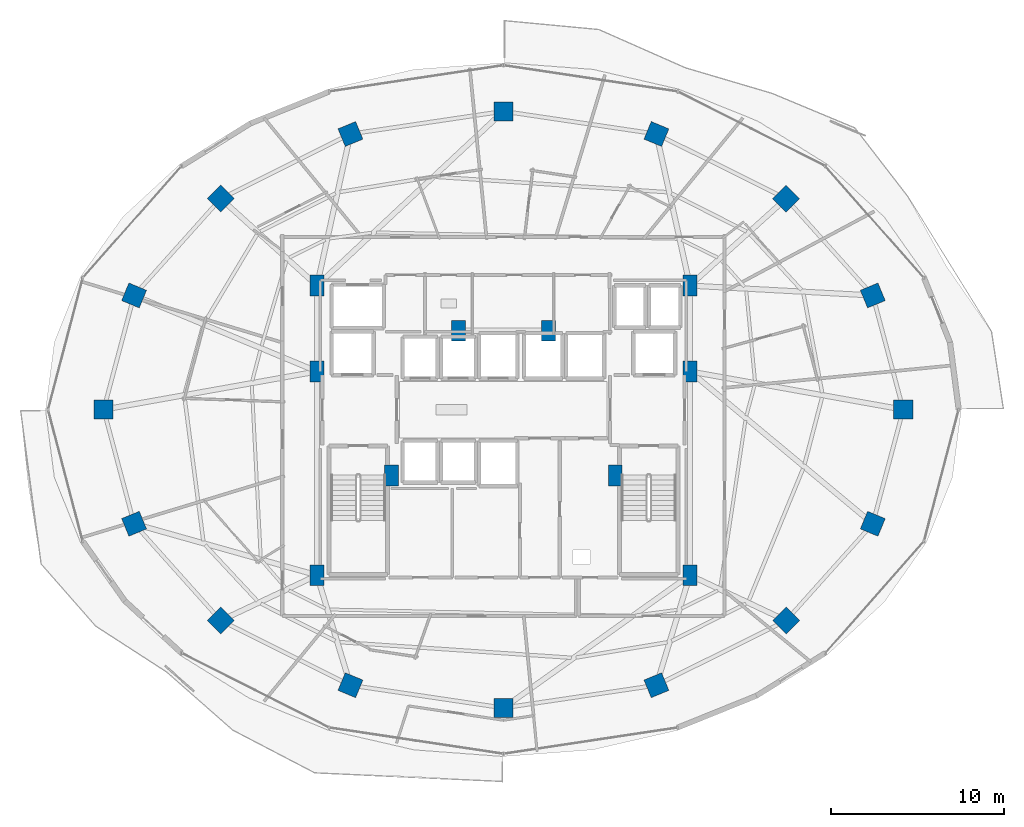
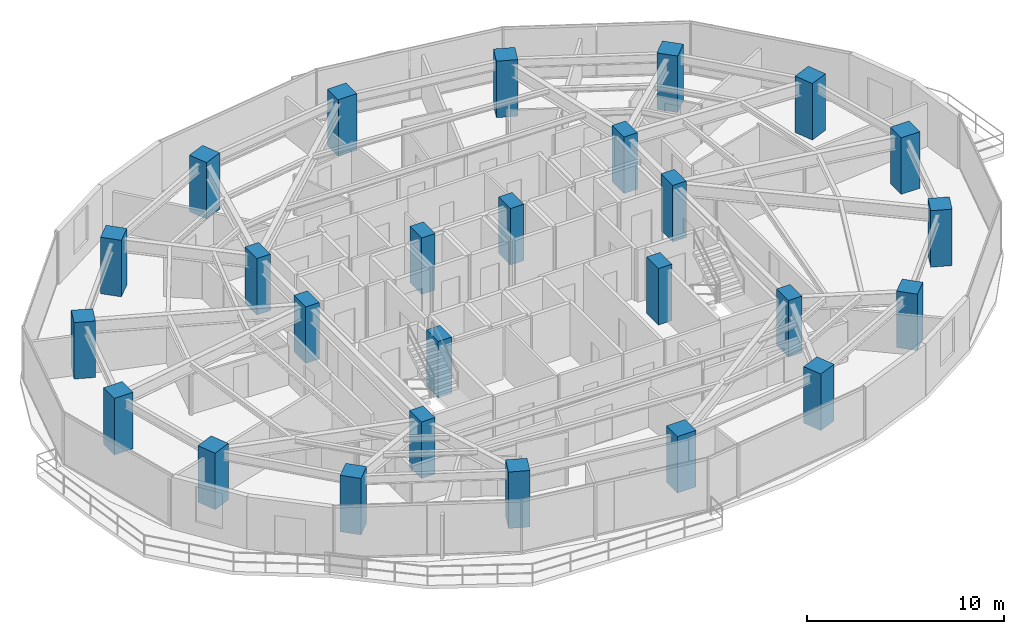
# One storey, part 1 of 29: 26 columns.
"""IFC4 building model written with IfcOpenShell, lengths in metres."""

from ifc_helpers import new_model, si_unit, direction, frame, origin, origin_2d, place, context, subcontext, project, spatial, rectangle, extrude, material, material_profile, profile_set, type_object, element, save


model = new_model("IFC4")

# Units and contexts
model_context = context("Model", 3, precision=1e-05, world=origin(), true_north=direction((0.0, 1.0)))
body_context = subcontext(model_context, "Body", "Model", "MODEL_VIEW")
ifc_project = project(units=[si_unit("LENGTHUNIT", "METRE"), si_unit("AREAUNIT", "SQUARE_METRE"), si_unit("VOLUMEUNIT", "CUBIC_METRE"), si_unit("PLANEANGLEUNIT", "RADIAN"), si_unit("MASSUNIT", "GRAM", prefix="KILO")], contexts=[model_context])

# Site, building, storey
site_placement = place(None, origin())
site = spatial("IfcSite", under=ifc_project, at=site_placement, CompositionType="ELEMENT")
building_placement = place(site_placement, origin())
building = spatial("IfcBuilding", under=site, at=building_placement, Name="Vorneva Point Tower", CompositionType="ELEMENT")
storey_placement = place(building_placement, frame((0.0, 0.0, 117.300048828125)))
storey = spatial("IfcBuildingStorey", under=building, at=storey_placement, Name="L31", CompositionType="ELEMENT", Elevation=117.300048828125)

# Columns
ifc_material = material(Name="Concrete B60 (C50/60)", Category="concrete")
ifc_material_profile_1 = material_profile(ifc_material, rectangle(XDim=1.10009765625, YDim=1.10009765625, at=origin_2d()), Name="RC-COL 1100x1100")
ifc_profile_set_1 = profile_set([ifc_material_profile_1], Name="Concrete B60 (C50/60)")
column_type_1 = type_object("IfcColumnType", Name="COL-RC1100", PredefinedType="COLUMN", material=ifc_profile_set_1)
for number, where, z_axis, x_axis, name in (
    (1, (61.050048828125, 26.0, 0.0), (0.0, 0.0, 1.0), (1.0, 0.0, 0.0), "L31 Perimeter Column P01"),
    (2, (59.29541015625, 32.582275390625, 0.0), (0.0, 0.0, 1.0), (0.923879532511, 0.382683432365, 0.0), "L31 Perimeter Column P02"),
    (3, (54.298828125, 38.162109375, 0.0), (0.0, 0.0, 1.0), (0.707106781187, 0.707106781187, 0.0), "L31 Perimeter Column P03"),
    (4, (46.82080078125, 41.890625, 0.0), (0.0, 0.0, 1.0), (0.382683432365, 0.923879532511, 0.0), "L31 Perimeter Column P04"),
    (5, (38.0, 43.199951171875, 0.0), (0.0, 0.0, 1.0), (0.0, 1.0, 0.0), "L31 Perimeter Column P05"),
    (6, (29.17919921875, 41.890625, 0.0), (0.0, 0.0, 1.0), (-0.382683432365, 0.923879532511, 0.0), "L31 Perimeter Column P06"),
    (7, (21.701171875, 38.162109375, 0.0), (0.0, 0.0, 1.0), (-0.707106781187, 0.707106781187, 0.0), "L31 Perimeter Column P07"),
    (8, (16.70458984375, 32.582275390625, 0.0), (0.0, 0.0, 1.0), (-0.923879532511, 0.382683432365, 0.0), "L31 Perimeter Column P08"),
    (9, (14.949951171875, 26.0, 0.0), (0.0, 0.0, 1.0), (-1.0, 0.0, 0.0), "L31 Perimeter Column P09"),
    (10, (16.70458984375, 19.417724609375, 0.0), (0.0, 0.0, 1.0), (-0.923879532511, -0.382683432365, 0.0), "L31 Perimeter Column P10"),
    (11, (21.701171875, 13.837890625, 0.0), (0.0, 0.0, 1.0), (-0.707106781187, -0.707106781187, 0.0), "L31 Perimeter Column P11"),
    (12, (29.17919921875, 10.109375, 0.0), (0.0, 0.0, 1.0), (-0.382683432365, -0.923879532511, 0.0), "L31 Perimeter Column P12"),
    (13, (38.0, 8.800048828125, 0.0), (0.0, 0.0, 1.0), (0.0, -1.0, 0.0), "L31 Perimeter Column P13"),
    (14, (46.82080078125, 10.109375, 0.0), (0.0, 0.0, 1.0), (0.382683432365, -0.923879532511, 0.0), "L31 Perimeter Column P14"),
    (15, (54.298828125, 13.837890625, 0.0), (0.0, 0.0, 1.0), (0.707106781187, -0.707106781187, 0.0), "L31 Perimeter Column P15"),
    (16, (59.29541015625, 19.417724609375, 0.0), (0.0, 0.0, 1.0), (0.923879532511, -0.382683432365, 0.0), "L31 Perimeter Column P16"),
):
    element("IfcColumn", number, at=place(storey_placement, frame(where, z_axis=z_axis, x_axis=x_axis)), inside=storey, type_object=column_type_1, Name=name, PredefinedType="COLUMN", context=body_context, shape_type="SweptSolid", body=[
        extrude(rectangle(XDim=1.10009765625, YDim=1.10009765625, at=origin_2d()), origin(), (0.0, 0.0, 1.0), 3.5),
    ])
ifc_material_profile_2 = material_profile(ifc_material, rectangle(XDim=0.800048828125, YDim=1.199951171875, at=origin_2d()), Name="RC-PIL 1200x800")
ifc_profile_set_2 = profile_set([ifc_material_profile_2], Name="Concrete B60 (C50/60)")
column_type_2 = type_object("IfcColumnType", Name="PIL-RC1200x800", PredefinedType="PILASTER", material=ifc_profile_set_2)
for number, where, z_axis, x_axis, name in (
    (17, (27.25, 16.449951171875, 0.0), (0.0, 0.0, 1.0), (1.0, 0.0, 0.0), "L31 Core Pilaster CP1"),
    (18, (27.25, 28.199951171875, 0.0), (0.0, 0.0, 1.0), (1.0, 0.0, 0.0), "L31 Core Pilaster CP2"),
    (19, (27.25, 33.14990234375, 0.0), (0.0, 0.0, 1.0), (1.0, 0.0, 0.0), "L31 Core Pilaster CP3"),
    (20, (31.550048828125, 22.199951171875, 0.0), (0.0, 0.0, 1.0), (1.0, 0.0, 0.0), "L31 Core Pilaster CP4"),
    (21, (48.75, 33.14990234375, 0.0), (0.0, 0.0, 1.0), (1.0, 0.0, 0.0), "L31 Core Pilaster CP5"),
    (22, (48.75, 28.199951171875, 0.0), (0.0, 0.0, 1.0), (1.0, 0.0, 0.0), "L31 Core Pilaster CP6"),
    (23, (48.75, 16.449951171875, 0.0), (0.0, 0.0, 1.0), (1.0, 0.0, 0.0), "L31 Core Pilaster CP7"),
    (24, (44.449951171875, 22.199951171875, 0.0), (0.0, 0.0, 1.0), (1.0, 0.0, 0.0), "L31 Core Pilaster CP8"),
    (25, (35.39990234375, 30.550048828125, 0.0), (0.0, 0.0, 1.0), (1.0, 0.0, 0.0), "L31 Core Pilaster CP9"),
    (26, (40.60009765625, 30.550048828125, 0.0), (0.0, 0.0, 1.0), (1.0, 0.0, 0.0), "L31 Core Pilaster CP10"),
):
    element("IfcColumn", number, at=place(storey_placement, frame(where, z_axis=z_axis, x_axis=x_axis)), inside=storey, type_object=column_type_2, Name=name, PredefinedType="PILASTER", context=body_context, shape_type="SweptSolid", body=[
        extrude(rectangle(XDim=0.800048828125, YDim=1.199951171875, at=origin_2d()), origin(), (0.0, 0.0, 1.0), 3.5),
    ])

save(model, "model.ifc")
